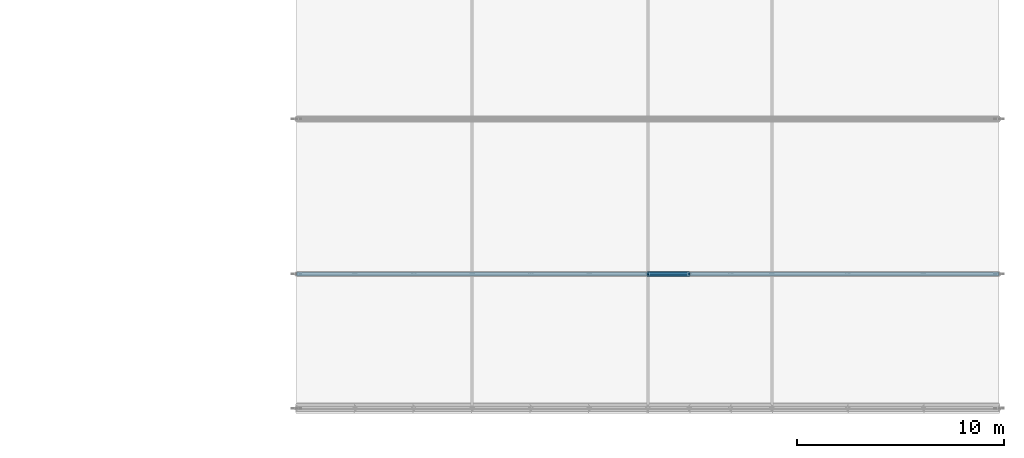
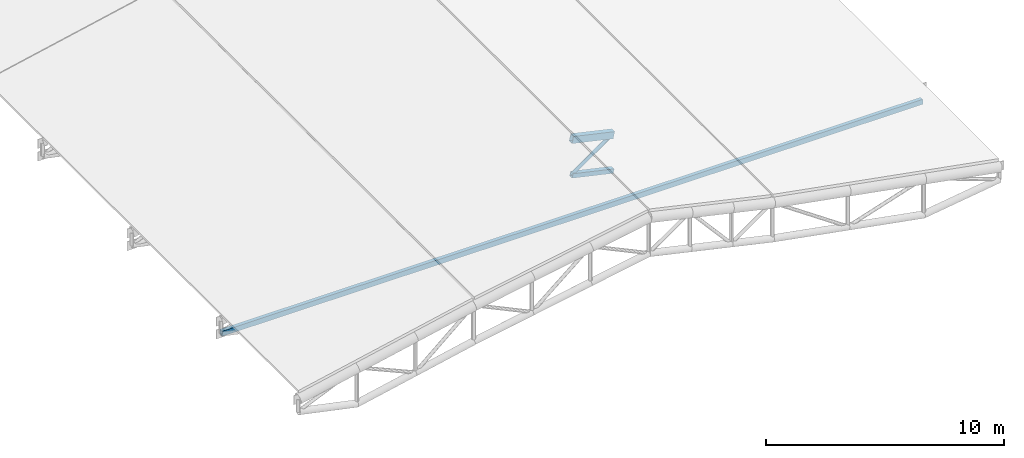
# One storey, part 3 of 28: 3 members, 1 beam.
"""IFC4 building model written with IfcOpenShell, lengths in metres."""

from ifc_helpers import new_model, si_unit, direction, frame, origin, origin_2d, place, context, subcontext, project, spatial, hollow_rectangle, hollow_circle, extrude, material, material_profile, profile_set, type_object, element, save


model = new_model("IFC4")

# Units and contexts
model_context = context("Model", 3, precision=1e-05, world=origin(), true_north=direction((0.0, 1.0)))
body_context = subcontext(model_context, "Body", "Model", "MODEL_VIEW")
ifc_project = project(units=[si_unit("LENGTHUNIT", "METRE"), si_unit("AREAUNIT", "SQUARE_METRE"), si_unit("VOLUMEUNIT", "CUBIC_METRE"), si_unit("PLANEANGLEUNIT", "RADIAN"), si_unit("MASSUNIT", "GRAM", prefix="KILO"), si_unit("THERMODYNAMICTEMPERATUREUNIT", "KELVIN"), si_unit("POWERUNIT", "WATT")], contexts=[model_context])

# Site, building, storey
site_placement = place(None, origin())
site = spatial("IfcSite", under=ifc_project, at=site_placement, CompositionType="ELEMENT")
building_placement = place(site_placement, origin())
building = spatial("IfcBuilding", under=site, at=building_placement, Name="Tepalcoro Natatorium and Aquatics Centre", CompositionType="ELEMENT")
storey_placement = place(building_placement, frame((0.0, 0.0, 23.199951171875)))
storey = spatial("IfcBuildingStorey", under=building, at=storey_placement, Name="RF", CompositionType="ELEMENT", Elevation=23.199951171875)

# Beam
ifc_material = material(Name="Terracotta Painted Hollow Steel ASTM A500 Grade C (Fy 345 MPa)", Category="masonry")
ifc_material_profile_1 = material_profile(ifc_material, hollow_rectangle(XDim=0.25, YDim=0.35009765625, WallThickness=0.01611328125, at=origin_2d()), Name="HSS350X250X16")
ifc_profile_set_1 = profile_set([ifc_material_profile_1], Name="Terracotta Painted Hollow Steel ASTM A500 Grade C (Fy 345 MPa)")
beam_type = type_object("IfcBeamType", Name="AC_HSS350x250x16", PredefinedType="USERDEFINED", material=ifc_profile_set_1)
beam_placement = place(storey_placement, frame((159.0, 13.0, -0.27783203125), z_axis=(0.975589348514, 0.0, -0.219602875813), x_axis=(0.0, 1.0, 0.0)))
element("IfcBeam", 1, at=beam_placement, inside=storey, type_object=beam_type, Name="V2 Barrel-Arch Top Chord 2", ObjectType="ARCH CHORD", PredefinedType="USERDEFINED", context=body_context, shape_type="SweptSolid", body=[
    extrude(hollow_rectangle(XDim=0.25, YDim=0.35009765625, WallThickness=0.01611328125, at=origin_2d()), origin(), (0.0, 0.0, 1.0), 2.050048828125),
])

# Members
ifc_material_profile_2 = material_profile(ifc_material, hollow_rectangle(XDim=0.179931640625, YDim=0.260009765625, WallThickness=0.013916015625, at=origin_2d()), Name="HSS260X180X14")
ifc_profile_set_2 = profile_set([ifc_material_profile_2], Name="Terracotta Painted Hollow Steel ASTM A500 Grade C (Fy 345 MPa)")
member_type_1 = type_object("IfcMemberType", Name="MB_AT_HSS260x180x14", PredefinedType="USERDEFINED", material=ifc_profile_set_2)
member_1_placement = place(storey_placement, frame((142.0, 13.0, -4.287841796875), z_axis=(1.0, 0.0, 0.0), x_axis=(0.0, 1.0, 0.0)))
element("IfcMember", 2, at=member_1_placement, inside=storey, type_object=member_type_1, Name="V2 Barrel-Arch Tie 2", ObjectType="ARCH TIE", PredefinedType="USERDEFINED", context=body_context, shape_type="SweptSolid", body=[
    extrude(hollow_rectangle(XDim=0.179931640625, YDim=0.260009765625, WallThickness=0.013916015625, at=origin_2d()), origin(), (0.0, 0.0, 1.0), 34.0),
])
ifc_material_profile_3 = material_profile(ifc_material, hollow_rectangle(XDim=0.219970703125, YDim=0.219970703125, WallThickness=0.011962890625, at=origin_2d()), Name="HSS220X220X12")
ifc_profile_set_3 = profile_set([ifc_material_profile_3], Name="Terracotta Painted Hollow Steel ASTM A500 Grade C (Fy 345 MPa)")
member_type_2 = type_object("IfcMemberType", Name="MB_CH_HSS220x220x12", PredefinedType="CHORD", material=ifc_profile_set_3)
member_2_placement = place(storey_placement, frame((159.0, 13.0, -2.1279296875), z_axis=(0.97561485681, 0.0, -0.21948952406), x_axis=(0.0, 1.0, 0.0)))
element("IfcMember", 3, at=member_2_placement, inside=storey, type_object=member_type_2, Name="V2 Barrel-Arch Bottom Chord 2", PredefinedType="CHORD", context=body_context, shape_type="SweptSolid", body=[
    extrude(hollow_rectangle(XDim=0.219970703125, YDim=0.219970703125, WallThickness=0.011962890625, at=origin_2d()), origin(), (0.0, 0.0, 1.0), 2.050048828125),
])
ifc_material_profile_4 = material_profile(ifc_material, hollow_circle(Radius=0.083984375, WallThickness=0.011962890625, at=origin_2d()), Name="CHS168X12")
ifc_profile_set_4 = profile_set([ifc_material_profile_4], Name="Terracotta Painted Hollow Steel ASTM A500 Grade C (Fy 345 MPa)")
member_type_3 = type_object("IfcMemberType", Name="MB_ST_CHS168x12", PredefinedType="STRUT", material=ifc_profile_set_4)
member_3_placement = place(storey_placement, frame((159.0, 13.0, -2.1279296875), z_axis=(0.819250713189, 0.0, 0.573435496756), x_axis=(0.0, 1.0, 0.0)))
element("IfcMember", 4, at=member_3_placement, inside=storey, type_object=member_type_3, Name="V2 Barrel-Arch Web Diagonal 2", PredefinedType="STRUT", context=body_context, shape_type="SweptSolid", body=[
    extrude(hollow_circle(Radius=0.083984375, WallThickness=0.011962890625, at=origin_2d()), origin(), (0.0, 0.0, 1.0), 2.441162109375),
])

save(model, "model.ifc")
